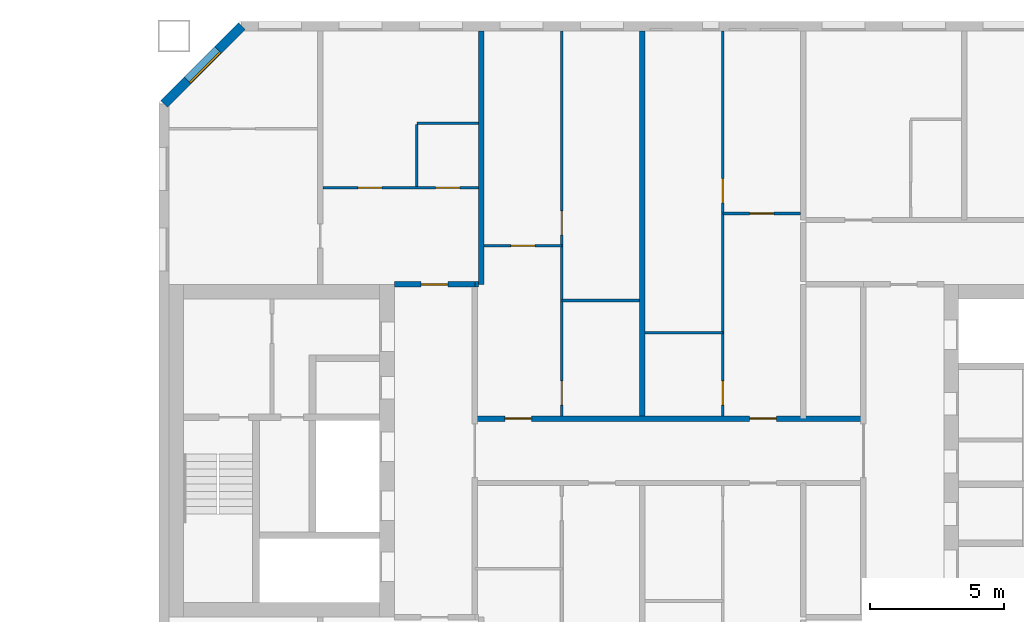
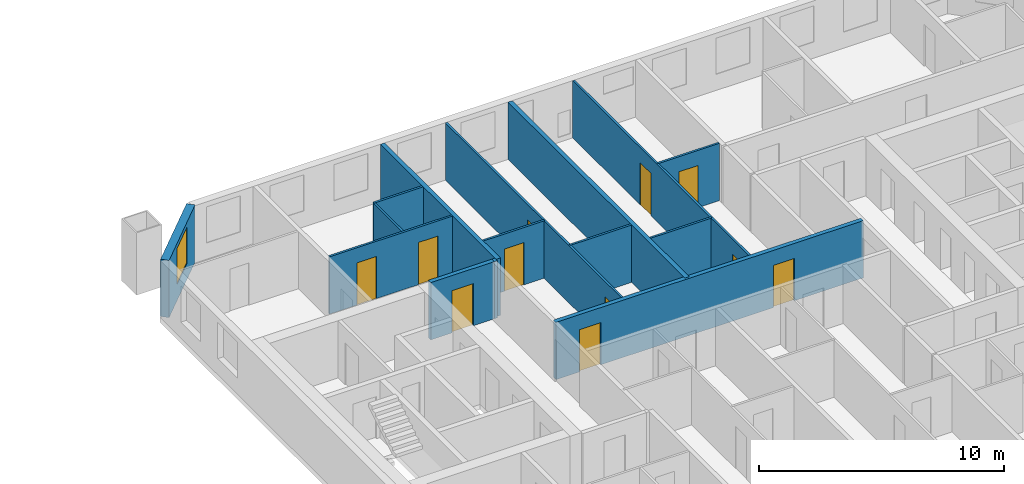
# One storey, part 11 of 16: 15 walls, 11 doors, 1 window, 12 openings.
"""IFC4 building model written with IfcOpenShell, lengths in metres."""

from ifc_helpers import new_model, si_unit, direction, frame, frame_2d, origin, place, context, subcontext, project, spatial, rectangle, extrude, material, layer, layer_set, type_object, element, fill, save


model = new_model("IFC4")

# Units and contexts
model_context = context("Model", 3, precision=1e-05, world=origin(), true_north=direction((0.0, 1.0)))
body_context = subcontext(model_context, "Body", "Model", "MODEL_VIEW")
ifc_project = project(units=[si_unit("LENGTHUNIT", "METRE"), si_unit("AREAUNIT", "SQUARE_METRE"), si_unit("VOLUMEUNIT", "CUBIC_METRE"), si_unit("PLANEANGLEUNIT", "RADIAN"), si_unit("MASSUNIT", "GRAM", prefix="KILO")], contexts=[model_context])

# Site, building, storey
site_placement = place(None, origin())
site = spatial("IfcSite", under=ifc_project, at=site_placement, CompositionType="ELEMENT")
building_placement = place(site_placement, origin())
building = spatial("IfcBuilding", under=site, at=building_placement, Name="Tuart Gate Housing", CompositionType="ELEMENT")
storey_placement = place(building_placement, frame((0.0, 0.0, 139.199951171875)))
storey = spatial("IfcBuildingStorey", under=building, at=storey_placement, Name="L39", CompositionType="ELEMENT", Elevation=139.199951171875)

# Wall, opening, window
ifc_material_1 = material(Name="Brick", Category="masonry")
ifc_layer_1 = layer(ifc_material_1, 0.360107421875)
ifc_layer_set_1 = layer_set([ifc_layer_1], Name="Brick pier and spandrel wall 360")
wall_type_1 = type_object("IfcWallType", Name="Brick pier and spandrel wall 360", PredefinedType="STANDARD", material=ifc_layer_set_1)
wall_1_placement = place(storey_placement, frame((134.07470703125, 85.820068359375, 0.0), z_axis=(0.0, 0.0, 1.0), x_axis=(-0.707106781187, -0.707106781187, 0.0)))
wall_1 = element("IfcWall", 1, at=wall_1_placement, inside=storey, type_object=wall_type_1, Name="External wall B-NW L39", PredefinedType="STANDARD", context=body_context, shape_type="SweptSolid", body=[
    extrude(rectangle(XDim=4.09375, YDim=0.360107421875, at=frame_2d((2.046875, 0.0))), origin(), (0.0, 0.0, 1.0), 2.85009765625),
])
opening_1_placement = place(wall_1_placement, frame((1.2470703125, 0.0, 0.800048828125)))
opening_1 = element("IfcOpeningElement", 2, at=opening_1_placement, cuts=wall_1, Name="Opening W1", PredefinedType="OPENING", context=body_context, shape_type="SweptSolid", body=[
    extrude(rectangle(XDim=1.60009765625, YDim=1.800048828125, at=frame_2d((0.800048828125, 0.89990234375))), frame((0.0, 0.18994140625, 0.0), z_axis=(0.0, -1.0, 0.0), x_axis=(1.0, 0.0, 0.0)), (0.0, 0.0, 1.0), 0.380126953125),
])
ifc_material_2 = material(Name="Aluminium frame with clear glass", Category="aluminium")
window_type = type_object("IfcWindowType", Name="Punched window 1600 x 1800", PartitioningType="SINGLE_PANEL", PredefinedType="WINDOW", material=ifc_material_2)
window_placement = place(opening_1_placement, origin())
window = element("IfcWindow", 3, at=window_placement, inside=storey, type_object=window_type, Name="Window W1", OverallHeight=1.800048828125, OverallWidth=1.60009765625, PartitioningType="SINGLE_PANEL", PredefinedType="WINDOW", context=body_context, shape_type="SweptSolid", body=[
    extrude(rectangle(XDim=1.60009765625, YDim=1.800048828125, at=frame_2d((0.800048828125, 0.89990234375))), frame((0.0, 0.150146484375, 0.0), z_axis=(0.0, -1.0, 0.0), x_axis=(1.0, 0.0, 0.0)), (0.0, 0.0, 1.0), 0.06005859375),
])
fill(opening_1, window)

# Wall, openings, doors
ifc_material_3 = material(Name="Concrete masonry 15 MPa", Category="masonry")
ifc_layer_2 = layer(ifc_material_3, 0.199951171875)
ifc_layer_set_2 = layer_set([ifc_layer_2], Name="Corridor wall masonry 200")
wall_type_2 = type_object("IfcWallType", Name="Corridor wall masonry 200", PredefinedType="PARTITIONING", material=ifc_layer_set_2)
wall_2_placement = place(storey_placement, frame((142.760009765625, 71.199951171875, 0.0), z_axis=(0.0, 0.0, 1.0), x_axis=(1.0, 0.0, 0.0)))
wall_2 = element("IfcWall", 4, at=wall_2_placement, inside=storey, type_object=wall_type_2, Name="Corridor wall masonry 200", PredefinedType="PARTITIONING", context=body_context, shape_type="SweptSolid", body=[
    extrude(rectangle(XDim=14.47998046875, YDim=0.199951171875, at=frame_2d((7.239990234375, 0.0))), origin(), (0.0, 0.0, 1.0), 2.85009765625),
])
opening_2_placement = place(wall_2_placement, frame((1.1201171875, 0.0, 0.0)))
opening_2 = element("IfcOpeningElement", 5, at=opening_2_placement, cuts=wall_2, Name="Opening D1484", PredefinedType="OPENING", context=body_context, shape_type="SweptSolid", body=[
    extrude(rectangle(XDim=1.0, YDim=2.10009765625, at=frame_2d((0.5, 1.050048828125))), frame((0.0, 0.10986328125, 0.0), z_axis=(0.0, -1.0, 0.0), x_axis=(1.0, 0.0, 0.0)), (0.0, 0.0, 1.0), 0.219970703125),
])
opening_3_placement = place(wall_2_placement, frame((10.239990234375, 0.0, 0.0)))
opening_3 = element("IfcOpeningElement", 6, at=opening_3_placement, cuts=wall_2, Name="Opening D1485", PredefinedType="OPENING", context=body_context, shape_type="SweptSolid", body=[
    extrude(rectangle(XDim=1.0, YDim=2.10009765625, at=frame_2d((0.5, 1.050048828125))), frame((0.0, 0.10986328125, 0.0), z_axis=(0.0, -1.0, 0.0), x_axis=(1.0, 0.0, 0.0)), (0.0, 0.0, 1.0), 0.219970703125),
])
ifc_material_4 = material(Name="Timber door leaf in steel frame", Category="steel")
door_type_1 = type_object("IfcDoorType", Name="Flat entrance door 1000", OperationType="SINGLE_SWING_LEFT", PredefinedType="DOOR", material=ifc_material_4)
door_1_placement = place(opening_2_placement, origin())
door_1 = element("IfcDoor", 7, at=door_1_placement, inside=storey, type_object=door_type_1, Name="Flat entrance door", OperationType="SINGLE_SWING_LEFT", OverallHeight=2.10009765625, OverallWidth=1.0, PredefinedType="DOOR", context=body_context, shape_type="SweptSolid", body=[
    extrude(rectangle(XDim=1.0, YDim=2.10009765625, at=frame_2d((0.5, 1.050048828125))), frame((0.0, 0.02490234375, 0.0), z_axis=(0.0, -1.0, 0.0), x_axis=(1.0, 0.0, 0.0)), (0.0, 0.0, 1.0), 0.050048828125),
])
fill(opening_2, door_1)
door_2_placement = place(opening_3_placement, origin())
door_2 = element("IfcDoor", 8, at=door_2_placement, inside=storey, type_object=door_type_1, Name="Flat entrance door", OperationType="SINGLE_SWING_LEFT", OverallHeight=2.10009765625, OverallWidth=1.0, PredefinedType="DOOR", context=body_context, shape_type="SweptSolid", body=[
    extrude(rectangle(XDim=1.0, YDim=2.10009765625, at=frame_2d((0.5, 1.050048828125))), frame((0.0, 0.02490234375, 0.0), z_axis=(0.0, -1.0, 0.0), x_axis=(1.0, 0.0, 0.0)), (0.0, 0.0, 1.0), 0.050048828125),
])
fill(opening_3, door_2)

# Wall, opening, door
ifc_material_5 = material(Name="Concrete masonry 15 MPa", Category="masonry")
ifc_layer_3 = layer(ifc_material_5, 0.199951171875)
ifc_layer_set_3 = layer_set([ifc_layer_3], Name="Enclosure wall masonry 200")
wall_type_3 = type_object("IfcWallType", Name="Enclosure wall masonry 200", PredefinedType="PARTITIONING", material=ifc_layer_set_3)
wall_3_placement = place(storey_placement, frame((139.760009765625, 76.199951171875, 0.0), z_axis=(0.0, 0.0, 1.0), x_axis=(1.0, 0.0, 0.0)))
wall_3 = element("IfcWall", 9, at=wall_3_placement, inside=storey, type_object=wall_type_3, Name="Enclosure wall masonry 200", PredefinedType="PARTITIONING", context=body_context, shape_type="SweptSolid", body=[
    extrude(rectangle(XDim=3.0, YDim=0.199951171875, at=frame_2d((1.5, 0.0))), origin(), (0.0, 0.0, 1.0), 2.85009765625),
])
opening_4_placement = place(wall_3_placement, frame((1.0, 0.0, 0.0)))
opening_4 = element("IfcOpeningElement", 10, at=opening_4_placement, cuts=wall_3, Name="Opening D1479", PredefinedType="OPENING", context=body_context, shape_type="SweptSolid", body=[
    extrude(rectangle(XDim=1.0, YDim=2.10009765625, at=frame_2d((0.5, 1.050048828125))), frame((0.0, 0.10986328125, 0.0), z_axis=(0.0, -1.0, 0.0), x_axis=(1.0, 0.0, 0.0)), (0.0, 0.0, 1.0), 0.219970703125),
])
ifc_material_6 = material(Name="Timber door leaf in steel frame", Category="steel")
door_type_2 = type_object("IfcDoorType", Name="Flat entrance door 1000 RH", OperationType="SINGLE_SWING_RIGHT", PredefinedType="DOOR", material=ifc_material_6)
door_3_placement = place(opening_4_placement, origin())
door_3 = element("IfcDoor", 11, at=door_3_placement, inside=storey, type_object=door_type_2, Name="Flat entrance door", OperationType="SINGLE_SWING_RIGHT", OverallHeight=2.10009765625, OverallWidth=1.0, PredefinedType="DOOR", context=body_context, shape_type="SweptSolid", body=[
    extrude(rectangle(XDim=1.0, YDim=2.10009765625, at=frame_2d((0.5, 1.050048828125))), frame((0.0, 0.02490234375, 0.0), z_axis=(0.0, -1.0, 0.0), x_axis=(1.0, 0.0, 0.0)), (0.0, 0.0, 1.0), 0.050048828125),
])
fill(opening_4, door_3)

# Walls
ifc_material_7 = material(Name="Gypsum board on steel studs", Category="steel")
ifc_layer_4 = layer(ifc_material_7, 0.10009765625)
ifc_layer_set_4 = layer_set([ifc_layer_4], Name="Partition 100")
wall_type_4 = type_object("IfcWallType", Name="Partition 100", PredefinedType="PARTITIONING", material=ifc_layer_set_4)
for number, where, z_axis, x_axis, name in (
    (12, (149.10009765625, 74.39990234375, 0.0), (0.0, 0.0, 1.0), (1.0, 0.0, 0.0), "Partition 100"),
    (13, (146.0, 75.60009765625, 0.0), (0.0, 0.0, 1.0), (1.0, 0.0, 0.0), "Partition 100"),
):
    element("IfcWall", number, at=place(storey_placement, frame(where, z_axis=z_axis, x_axis=x_axis)), inside=storey, type_object=wall_type_4, Name=name, PredefinedType="PARTITIONING", context=body_context, shape_type="SweptSolid", body=[
        extrude(rectangle(XDim=2.89990234375, YDim=0.10009765625, at=frame_2d((1.449951171875, 0.0))), origin(), (0.0, 0.0, 1.0), 2.85009765625),
    ])

# Wall, opening, door
wall_4_placement = place(storey_placement, frame((143.10009765625, 77.639892578125, 0.0), z_axis=(0.0, 0.0, 1.0), x_axis=(1.0, 0.0, 0.0)))
wall_4 = element("IfcWall", 14, at=wall_4_placement, inside=storey, type_object=wall_type_4, Name="Partition 100", PredefinedType="PARTITIONING", context=body_context, shape_type="SweptSolid", body=[
    extrude(rectangle(XDim=2.89990234375, YDim=0.10009765625, at=frame_2d((1.449951171875, 0.0))), origin(), (0.0, 0.0, 1.0), 2.85009765625),
])
opening_5_placement = place(wall_4_placement, frame((1.0, 0.0, 0.0)))
opening_5 = element("IfcOpeningElement", 15, at=opening_5_placement, cuts=wall_4, Name="Opening D1478", PredefinedType="OPENING", context=body_context, shape_type="SweptSolid", body=[
    extrude(rectangle(XDim=0.89990234375, YDim=2.10009765625, at=frame_2d((0.449951171875, 1.050048828125))), frame((0.0, 0.06005859375, 0.0), z_axis=(0.0, -1.0, 0.0), x_axis=(1.0, 0.0, 0.0)), (0.0, 0.0, 1.0), 0.1201171875),
])
ifc_material_8 = material(Name="Timber door leaf in steel frame", Category="steel")
door_type_3 = type_object("IfcDoorType", Name="Internal door 900", OperationType="SINGLE_SWING_LEFT", PredefinedType="DOOR", material=ifc_material_8)
door_4_placement = place(opening_5_placement, frame((0.89990234375, 0.0, 0.0), z_axis=(0.0, 0.0, 1.0), x_axis=(-1.0, 0.0, 0.0)))
door_4 = element("IfcDoor", 16, at=door_4_placement, inside=storey, type_object=door_type_3, Name="Internal door", OperationType="SINGLE_SWING_LEFT", OverallHeight=2.10009765625, OverallWidth=0.89990234375, PredefinedType="DOOR", context=body_context, shape_type="SweptSolid", body=[
    extrude(rectangle(XDim=0.89990234375, YDim=2.10009765625, at=frame_2d((0.449951171875, 1.050048828125))), frame((0.0, 0.025146484375, 0.0), z_axis=(0.0, -1.0, 0.0), x_axis=(1.0, 0.0, 0.0)), (0.0, 0.0, 1.0), 0.050048828125),
])
fill(opening_5, door_4)

wall_5_placement = place(storey_placement, frame((152.0, 78.840087890625, 0.0), z_axis=(0.0, 0.0, 1.0), x_axis=(1.0, 0.0, 0.0)))
wall_5 = element("IfcWall", 17, at=wall_5_placement, inside=storey, type_object=wall_type_4, Name="Partition 100", PredefinedType="PARTITIONING", context=body_context, shape_type="SweptSolid", body=[
    extrude(rectangle(XDim=2.89990234375, YDim=0.10009765625, at=frame_2d((1.449951171875, 0.0))), origin(), (0.0, 0.0, 1.0), 2.85009765625),
])
opening_6_placement = place(wall_5_placement, frame((1.0, 0.0, 0.0)))
opening_6 = element("IfcOpeningElement", 18, at=opening_6_placement, cuts=wall_5, Name="Opening D1471", PredefinedType="OPENING", context=body_context, shape_type="SweptSolid", body=[
    extrude(rectangle(XDim=0.89990234375, YDim=2.10009765625, at=frame_2d((0.449951171875, 1.050048828125))), frame((0.0, 0.06005859375, 0.0), z_axis=(0.0, -1.0, 0.0), x_axis=(1.0, 0.0, 0.0)), (0.0, 0.0, 1.0), 0.1201171875),
])
ifc_material_9 = material(Name="Timber door leaf in steel frame", Category="steel")
door_type_4 = type_object("IfcDoorType", Name="Internal door 900 RH", OperationType="SINGLE_SWING_RIGHT", PredefinedType="DOOR", material=ifc_material_9)
door_5_placement = place(opening_6_placement, frame((0.89990234375, 0.0, 0.0), z_axis=(0.0, 0.0, 1.0), x_axis=(-1.0, 0.0, 0.0)))
door_5 = element("IfcDoor", 19, at=door_5_placement, inside=storey, type_object=door_type_4, Name="Internal door", OperationType="SINGLE_SWING_RIGHT", OverallHeight=2.10009765625, OverallWidth=0.89990234375, PredefinedType="DOOR", context=body_context, shape_type="SweptSolid", body=[
    extrude(rectangle(XDim=0.89990234375, YDim=2.10009765625, at=frame_2d((0.449951171875, 1.050048828125))), frame((0.0, 0.025146484375, 0.0), z_axis=(0.0, -1.0, 0.0), x_axis=(1.0, 0.0, 0.0)), (0.0, 0.0, 1.0), 0.050048828125),
])
fill(opening_6, door_5)

# Wall, openings, doors
wall_6_placement = place(storey_placement, frame((137.10009765625, 79.800048828125, 0.0), z_axis=(0.0, 0.0, 1.0), x_axis=(1.0, 0.0, 0.0)))
wall_6 = element("IfcWall", 20, at=wall_6_placement, inside=storey, type_object=wall_type_4, Name="Partition 100", PredefinedType="PARTITIONING", context=body_context, shape_type="SweptSolid", body=[
    extrude(rectangle(XDim=5.7998046875, YDim=0.10009765625, at=frame_2d((2.89990234375, 0.0))), origin(), (0.0, 0.0, 1.0), 2.85009765625),
])
opening_7_placement = place(wall_6_placement, frame((1.300048828125, 0.0, 0.0)))
opening_7 = element("IfcOpeningElement", 21, at=opening_7_placement, cuts=wall_6, Name="Opening D1470", PredefinedType="OPENING", context=body_context, shape_type="SweptSolid", body=[
    extrude(rectangle(XDim=0.89990234375, YDim=2.10009765625, at=frame_2d((0.449951171875, 1.050048828125))), frame((0.0, 0.06005859375, 0.0), z_axis=(0.0, -1.0, 0.0), x_axis=(1.0, 0.0, 0.0)), (0.0, 0.0, 1.0), 0.1201171875),
])
opening_8_placement = place(wall_6_placement, frame((4.199951171875, 0.0, 0.0)))
opening_8 = element("IfcOpeningElement", 22, at=opening_8_placement, cuts=wall_6, Name="Opening D1469", PredefinedType="OPENING", context=body_context, shape_type="SweptSolid", body=[
    extrude(rectangle(XDim=0.89990234375, YDim=2.10009765625, at=frame_2d((0.449951171875, 1.050048828125))), frame((0.0, 0.06005859375, 0.0), z_axis=(0.0, -1.0, 0.0), x_axis=(1.0, 0.0, 0.0)), (0.0, 0.0, 1.0), 0.1201171875),
])
ifc_material_10 = material(Name="Timber door leaf in steel frame", Category="steel")
door_type_5 = type_object("IfcDoorType", Name="Bathroom door 900", OperationType="SINGLE_SWING_LEFT", PredefinedType="DOOR", material=ifc_material_10)
door_6_placement = place(opening_8_placement, origin())
door_6 = element("IfcDoor", 23, at=door_6_placement, inside=storey, type_object=door_type_5, Name="Bathroom door", OperationType="SINGLE_SWING_LEFT", OverallHeight=2.10009765625, OverallWidth=0.89990234375, PredefinedType="DOOR", context=body_context, shape_type="SweptSolid", body=[
    extrude(rectangle(XDim=0.89990234375, YDim=2.10009765625, at=frame_2d((0.449951171875, 1.050048828125))), frame((0.0, 0.02490234375, 0.0), z_axis=(0.0, -1.0, 0.0), x_axis=(1.0, 0.0, 0.0)), (0.0, 0.0, 1.0), 0.050048828125),
])
fill(opening_8, door_6)
door_7_placement = place(opening_7_placement, origin())
door_7 = element("IfcDoor", 24, at=door_7_placement, inside=storey, type_object=door_type_4, Name="Internal door", OperationType="SINGLE_SWING_RIGHT", OverallHeight=2.10009765625, OverallWidth=0.89990234375, PredefinedType="DOOR", context=body_context, shape_type="SweptSolid", body=[
    extrude(rectangle(XDim=0.89990234375, YDim=2.10009765625, at=frame_2d((0.449951171875, 1.050048828125))), frame((0.0, 0.02490234375, 0.0), z_axis=(0.0, -1.0, 0.0), x_axis=(1.0, 0.0, 0.0)), (0.0, 0.0, 1.0), 0.050048828125),
])
fill(opening_7, door_7)

# Walls
for number, where, z_axis, x_axis, name in (
    (25, (140.60009765625, 82.199951171875, 0.0), (0.0, 0.0, 1.0), (1.0, 0.0, 0.0), "Partition 100"),
    (26, (140.60009765625, 79.85009765625, 0.0), (0.0, 0.0, 1.0), (0.0, 1.0, 0.0), "Partition 100"),
):
    element("IfcWall", number, at=place(storey_placement, frame(where, z_axis=z_axis, x_axis=x_axis)), inside=storey, type_object=wall_type_4, Name=name, PredefinedType="PARTITIONING", context=body_context, shape_type="SweptSolid", body=[
        extrude(rectangle(XDim=2.2998046875, YDim=0.10009765625, at=frame_2d((1.14990234375, 0.0))), origin(), (0.0, 0.0, 1.0), 2.85009765625),
    ])

# Wall, openings, doors
wall_7_placement = place(storey_placement, frame((146.0, 71.300048828125, 0.0), z_axis=(0.0, 0.0, 1.0), x_axis=(0.0, 1.0, 0.0)))
wall_7 = element("IfcWall", 27, at=wall_7_placement, inside=storey, type_object=wall_type_4, Name="Partition 100", PredefinedType="PARTITIONING", context=body_context, shape_type="SweptSolid", body=[
    extrude(rectangle(XDim=14.33984375, YDim=0.10009765625, at=frame_2d((7.169921875, 0.0))), origin(), (0.0, 0.0, 1.0), 2.85009765625),
])
opening_9_placement = place(wall_7_placement, frame((6.739990234375, 0.0, 0.0)))
opening_9 = element("IfcOpeningElement", 28, at=opening_9_placement, cuts=wall_7, Name="Opening D1475", PredefinedType="OPENING", context=body_context, shape_type="SweptSolid", body=[
    extrude(rectangle(XDim=0.89990234375, YDim=2.10009765625, at=frame_2d((0.449951171875, 1.050048828125))), frame((0.0, 0.06005859375, 0.0), z_axis=(0.0, -1.0, 0.0), x_axis=(1.0, 0.0, 0.0)), (0.0, 0.0, 1.0), 0.1201171875),
])
opening_10_placement = place(wall_7_placement, frame((0.39990234375, 0.0, 0.0)))
opening_10 = element("IfcOpeningElement", 29, at=opening_10_placement, cuts=wall_7, Name="Opening D1474", PredefinedType="OPENING", context=body_context, shape_type="SweptSolid", body=[
    extrude(rectangle(XDim=0.89990234375, YDim=2.10009765625, at=frame_2d((0.449951171875, 1.050048828125))), frame((0.0, 0.06005859375, 0.0), z_axis=(0.0, -1.0, 0.0), x_axis=(1.0, 0.0, 0.0)), (0.0, 0.0, 1.0), 0.1201171875),
])
ifc_material_11 = material(Name="Timber door leaf in steel frame", Category="steel")
door_type_6 = type_object("IfcDoorType", Name="Bathroom door 900 RH", OperationType="SINGLE_SWING_RIGHT", PredefinedType="DOOR", material=ifc_material_11)
door_8_placement = place(opening_10_placement, frame((0.89990234375, 0.0, 0.0), z_axis=(0.0, 0.0, 1.0), x_axis=(-1.0, 0.0, 0.0)))
door_8 = element("IfcDoor", 30, at=door_8_placement, inside=storey, type_object=door_type_6, Name="Bathroom door", OperationType="SINGLE_SWING_RIGHT", OverallHeight=2.10009765625, OverallWidth=0.89990234375, PredefinedType="DOOR", context=body_context, shape_type="SweptSolid", body=[
    extrude(rectangle(XDim=0.89990234375, YDim=2.10009765625, at=frame_2d((0.449951171875, 1.050048828125))), frame((0.0, 0.025146484375, 0.0), z_axis=(0.0, -1.0, 0.0), x_axis=(1.0, 0.0, 0.0)), (0.0, 0.0, 1.0), 0.050048828125),
])
fill(opening_10, door_8)
door_9_placement = place(opening_9_placement, frame((0.89990234375, 0.0, 0.0), z_axis=(0.0, 0.0, 1.0), x_axis=(-1.0, 0.0, 0.0)))
door_9 = element("IfcDoor", 31, at=door_9_placement, inside=storey, type_object=door_type_4, Name="Internal door", OperationType="SINGLE_SWING_RIGHT", OverallHeight=2.10009765625, OverallWidth=0.89990234375, PredefinedType="DOOR", context=body_context, shape_type="SweptSolid", body=[
    extrude(rectangle(XDim=0.89990234375, YDim=2.10009765625, at=frame_2d((0.449951171875, 1.050048828125))), frame((0.0, 0.025146484375, 0.0), z_axis=(0.0, -1.0, 0.0), x_axis=(1.0, 0.0, 0.0)), (0.0, 0.0, 1.0), 0.050048828125),
])
fill(opening_9, door_9)

wall_8_placement = place(storey_placement, frame((152.0, 71.300048828125, 0.0), z_axis=(0.0, 0.0, 1.0), x_axis=(0.0, 1.0, 0.0)))
wall_8 = element("IfcWall", 32, at=wall_8_placement, inside=storey, type_object=wall_type_4, Name="Partition 100", PredefinedType="PARTITIONING", context=body_context, shape_type="SweptSolid", body=[
    extrude(rectangle(XDim=14.33984375, YDim=0.10009765625, at=frame_2d((7.169921875, 0.0))), origin(), (0.0, 0.0, 1.0), 2.85009765625),
])
opening_11_placement = place(wall_8_placement, frame((7.93994140625, 0.0, 0.0)))
opening_11 = element("IfcOpeningElement", 33, at=opening_11_placement, cuts=wall_8, Name="Opening D1477", PredefinedType="OPENING", context=body_context, shape_type="SweptSolid", body=[
    extrude(rectangle(XDim=0.89990234375, YDim=2.10009765625, at=frame_2d((0.449951171875, 1.050048828125))), frame((0.0, 0.06005859375, 0.0), z_axis=(0.0, -1.0, 0.0), x_axis=(1.0, 0.0, 0.0)), (0.0, 0.0, 1.0), 0.1201171875),
])
opening_12_placement = place(wall_8_placement, frame((0.39990234375, 0.0, 0.0)))
opening_12 = element("IfcOpeningElement", 34, at=opening_12_placement, cuts=wall_8, Name="Opening D1476", PredefinedType="OPENING", context=body_context, shape_type="SweptSolid", body=[
    extrude(rectangle(XDim=0.89990234375, YDim=2.10009765625, at=frame_2d((0.449951171875, 1.050048828125))), frame((0.0, 0.06005859375, 0.0), z_axis=(0.0, -1.0, 0.0), x_axis=(1.0, 0.0, 0.0)), (0.0, 0.0, 1.0), 0.1201171875),
])
door_10_placement = place(opening_12_placement, origin())
door_10 = element("IfcDoor", 35, at=door_10_placement, inside=storey, type_object=door_type_5, Name="Bathroom door", OperationType="SINGLE_SWING_LEFT", OverallHeight=2.10009765625, OverallWidth=0.89990234375, PredefinedType="DOOR", context=body_context, shape_type="SweptSolid", body=[
    extrude(rectangle(XDim=0.89990234375, YDim=2.10009765625, at=frame_2d((0.449951171875, 1.050048828125))), frame((0.0, 0.02490234375, 0.0), z_axis=(0.0, -1.0, 0.0), x_axis=(1.0, 0.0, 0.0)), (0.0, 0.0, 1.0), 0.050048828125),
])
fill(opening_12, door_10)
door_11_placement = place(opening_11_placement, origin())
door_11 = element("IfcDoor", 36, at=door_11_placement, inside=storey, type_object=door_type_3, Name="Internal door", OperationType="SINGLE_SWING_LEFT", OverallHeight=2.10009765625, OverallWidth=0.89990234375, PredefinedType="DOOR", context=body_context, shape_type="SweptSolid", body=[
    extrude(rectangle(XDim=0.89990234375, YDim=2.10009765625, at=frame_2d((0.449951171875, 1.050048828125))), frame((0.0, 0.02490234375, 0.0), z_axis=(0.0, -1.0, 0.0), x_axis=(1.0, 0.0, 0.0)), (0.0, 0.0, 1.0), 0.050048828125),
])
fill(opening_11, door_11)

# Walls
ifc_material_12 = material(Name="Concrete C40", Category="concrete")
ifc_layer_5 = layer(ifc_material_12, 0.199951171875)
ifc_layer_set_5 = layer_set([ifc_layer_5], Name="Party wall concrete C40 200")
wall_type_5 = type_object("IfcWallType", Name="Party wall concrete C40 200", PredefinedType="SOLIDWALL", material=ifc_layer_set_5)
wall_9_placement = place(storey_placement, frame((143.0, 76.199951171875, 0.0), z_axis=(0.0, 0.0, 1.0), x_axis=(0.0, 1.0, 0.0)))
element("IfcWall", 37, at=wall_9_placement, inside=storey, type_object=wall_type_5, Name="Party wall concrete C40 200", PredefinedType="SOLIDWALL", context=body_context, shape_type="SweptSolid", body=[
    extrude(rectangle(XDim=9.43994140625, YDim=0.199951171875, at=frame_2d((4.719970703125, 0.0))), origin(), (0.0, 0.0, 1.0), 2.85009765625),
])
wall_10_placement = place(storey_placement, frame((149.0, 71.199951171875, 0.0), z_axis=(0.0, 0.0, 1.0), x_axis=(0.0, 1.0, 0.0)))
element("IfcWall", 38, at=wall_10_placement, inside=storey, type_object=wall_type_5, Name="Party wall concrete C40 200", PredefinedType="SOLIDWALL", context=body_context, shape_type="SweptSolid", body=[
    extrude(rectangle(XDim=14.43994140625, YDim=0.199951171875, at=frame_2d((7.219970703125, 0.0))), origin(), (0.0, 0.0, 1.0), 2.85009765625),
])
ifc_material_13 = material(Name="Concrete masonry 15 MPa", Category="masonry")
ifc_layer_6 = layer(ifc_material_13, 0.199951171875)
ifc_layer_set_6 = layer_set([ifc_layer_6], Name="Party wall masonry 200")
wall_type_6 = type_object("IfcWallType", Name="Party wall masonry 200", PredefinedType="PARTITIONING", material=ifc_layer_set_6)
wall_11_placement = place(storey_placement, frame((142.760009765625, 76.199951171875, 0.0), z_axis=(0.0, 0.0, 1.0), x_axis=(1.0, 0.0, 0.0)))
element("IfcWall", 39, at=wall_11_placement, inside=storey, type_object=wall_type_6, Name="Party wall masonry 200", PredefinedType="PARTITIONING", context=body_context, shape_type="SweptSolid", body=[
    extrude(rectangle(XDim=0.139892578125, YDim=0.199951171875, at=frame_2d((0.06982421875, 0.0))), origin(), (0.0, 0.0, 1.0), 2.85009765625),
])

save(model, "model.ifc")
